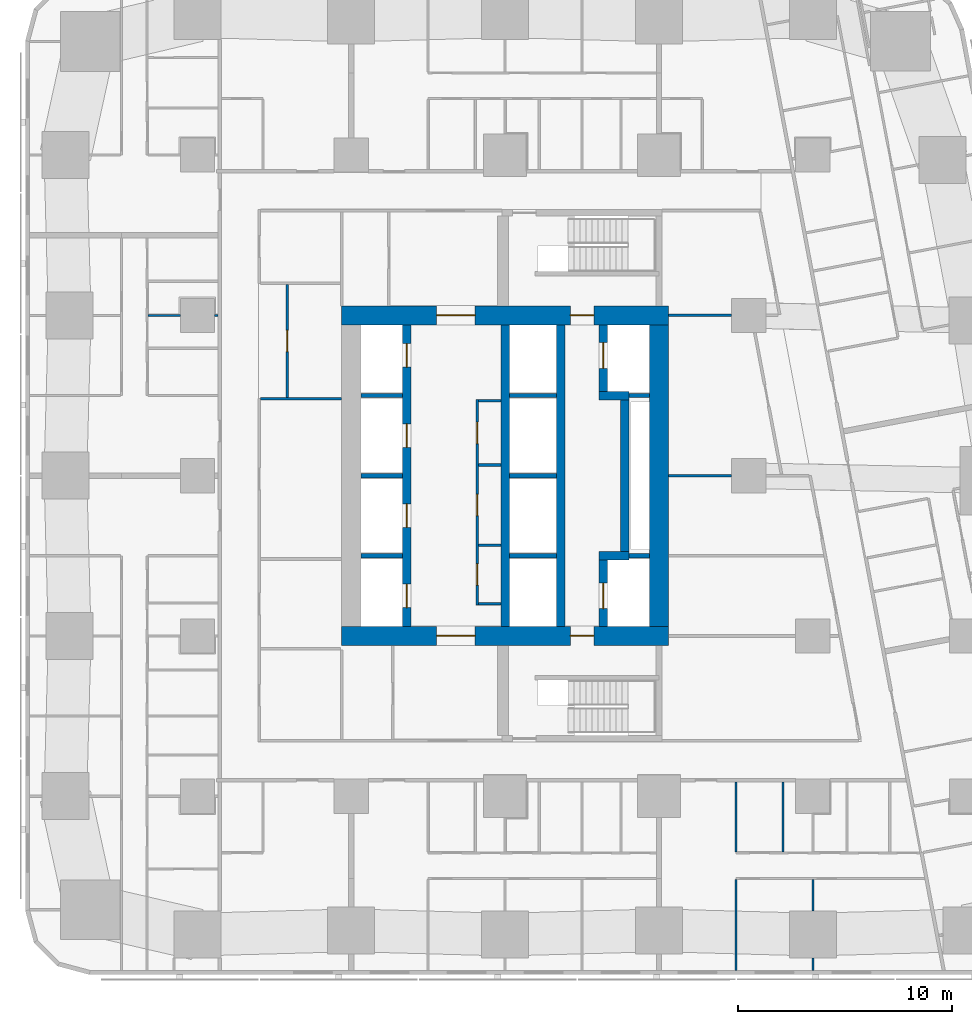
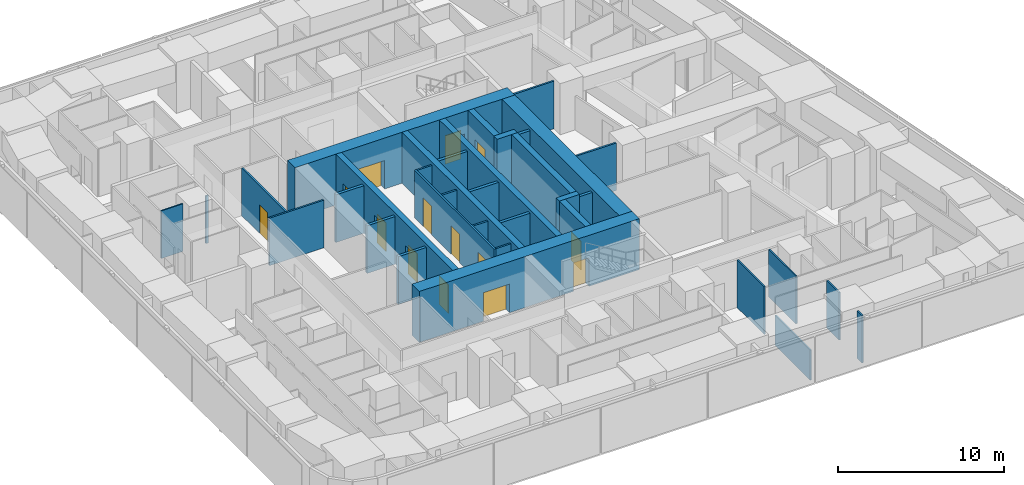
# One storey, part 5 of 15: 35 walls, 14 doors, 14 openings.
"""IFC4 building model written with IfcOpenShell, lengths in metres."""

from ifc_helpers import new_model, si_unit, direction, frame, frame_2d, origin, place, context, subcontext, project, spatial, rectangle, extrude, material, layer, layer_set, type_object, element, fill, save


model = new_model("IFC4")

# Units and contexts
model_context = context("Model", 3, precision=1e-05, world=origin(), true_north=direction((0.0, 1.0)))
body_context = subcontext(model_context, "Body", "Model", "MODEL_VIEW")
ifc_project = project(units=[si_unit("LENGTHUNIT", "METRE"), si_unit("AREAUNIT", "SQUARE_METRE"), si_unit("VOLUMEUNIT", "CUBIC_METRE"), si_unit("PLANEANGLEUNIT", "RADIAN"), si_unit("MASSUNIT", "GRAM", prefix="KILO")], contexts=[model_context])

# Site, building, storey
site_placement = place(None, origin())
site = spatial("IfcSite", under=ifc_project, at=site_placement, CompositionType="ELEMENT")
building_placement = place(site_placement, origin())
building = spatial("IfcBuilding", under=site, at=building_placement, Name="Sheger Commons Tower", CompositionType="ELEMENT")
storey_placement = place(building_placement, frame((0.0, 0.0, 77.89990234375)))
storey = spatial("IfcBuildingStorey", under=building, at=storey_placement, Name="L19", CompositionType="ELEMENT", Elevation=77.89990234375)

# Wall, openings, doors
ifc_material_1 = material(Name="Concrete C50/60", Category="concrete")
ifc_layer_1 = layer(ifc_material_1, 0.39990234375)
ifc_layer_set_1 = layer_set([ifc_layer_1], Name="CORE INNER WALL 400")
wall_type_1 = type_object("IfcWallType", Name="CORE INNER WALL 400", PredefinedType="SHEAR", material=ifc_layer_set_1)
wall_1_placement = place(storey_placement, frame((17.0, 15.449951171875, 0.0), z_axis=(0.0, 0.0, 1.0), x_axis=(0.0, 1.0, 0.0)))
wall_1 = element("IfcWall", 1, at=wall_1_placement, inside=storey, type_object=wall_type_1, Name="Core inner wall A L19", PredefinedType="SHEAR", context=body_context, shape_type="SweptSolid", body=[
    extrude(rectangle(XDim=14.10009765625, YDim=0.39990234375, at=frame_2d((7.050048828125, 0.0))), origin(), (0.0, 0.0, 1.0), 3.75),
])
opening_1_placement = place(wall_1_placement, frame((0.875, 0.0, 0.0)))
opening_1 = element("IfcOpeningElement", 2, at=opening_1_placement, cuts=wall_1, Name="Opening LD", PredefinedType="OPENING", context=body_context, shape_type="SweptSolid", body=[
    extrude(rectangle(XDim=1.10009765625, YDim=2.10009765625, at=frame_2d((0.550048828125, 1.050048828125))), frame((0.0, 0.2099609375, 0.0), z_axis=(0.0, -1.0, 0.0), x_axis=(1.0, 0.0, 0.0)), (0.0, 0.0, 1.0), 0.419921875),
])
opening_2_placement = place(wall_1_placement, frame((4.625, 0.0, 0.0)))
opening_2 = element("IfcOpeningElement", 3, at=opening_2_placement, cuts=wall_1, Name="Opening LD", PredefinedType="OPENING", context=body_context, shape_type="SweptSolid", body=[
    extrude(rectangle(XDim=1.10009765625, YDim=2.10009765625, at=frame_2d((0.550048828125, 1.050048828125))), frame((0.0, 0.2099609375, 0.0), z_axis=(0.0, -1.0, 0.0), x_axis=(1.0, 0.0, 0.0)), (0.0, 0.0, 1.0), 0.419921875),
])
opening_3_placement = place(wall_1_placement, frame((8.375, 0.0, 0.0)))
opening_3 = element("IfcOpeningElement", 4, at=opening_3_placement, cuts=wall_1, Name="Opening LD", PredefinedType="OPENING", context=body_context, shape_type="SweptSolid", body=[
    extrude(rectangle(XDim=1.10009765625, YDim=2.10009765625, at=frame_2d((0.550048828125, 1.050048828125))), frame((0.0, 0.2099609375, 0.0), z_axis=(0.0, -1.0, 0.0), x_axis=(1.0, 0.0, 0.0)), (0.0, 0.0, 1.0), 0.419921875),
])
opening_4_placement = place(wall_1_placement, frame((12.125, 0.0, 0.0)))
opening_4 = element("IfcOpeningElement", 5, at=opening_4_placement, cuts=wall_1, Name="Opening LD", PredefinedType="OPENING", context=body_context, shape_type="SweptSolid", body=[
    extrude(rectangle(XDim=1.10009765625, YDim=2.10009765625, at=frame_2d((0.550048828125, 1.050048828125))), frame((0.0, 0.2099609375, 0.0), z_axis=(0.0, -1.0, 0.0), x_axis=(1.0, 0.0, 0.0)), (0.0, 0.0, 1.0), 0.419921875),
])
ifc_material_2 = material(Name="Steel door set, fire rated", Category="steel")
door_type_1 = type_object("IfcDoorType", Name="LIFT LANDING DOOR 1100x2100", OperationType="DOUBLE_DOOR_SLIDING", PredefinedType="DOOR", material=ifc_material_2)
door_1_placement = place(opening_1_placement, origin())
door_1 = element("IfcDoor", 6, at=door_1_placement, inside=storey, type_object=door_type_1, Name="Lift LA1 landing door", OperationType="DOUBLE_DOOR_SLIDING", OverallHeight=2.10009765625, OverallWidth=1.10009765625, PredefinedType="DOOR", context=body_context, shape_type="SweptSolid", body=[
    extrude(rectangle(XDim=1.10009765625, YDim=2.10009765625, at=frame_2d((0.550048828125, 1.050048828125))), frame((0.0, 0.02490234375, 0.0), z_axis=(0.0, -1.0, 0.0), x_axis=(1.0, 0.0, 0.0)), (0.0, 0.0, 1.0), 0.050048828125),
])
fill(opening_1, door_1)
door_2_placement = place(opening_2_placement, origin())
door_2 = element("IfcDoor", 7, at=door_2_placement, inside=storey, type_object=door_type_1, Name="Lift LA2 landing door", OperationType="DOUBLE_DOOR_SLIDING", OverallHeight=2.10009765625, OverallWidth=1.10009765625, PredefinedType="DOOR", context=body_context, shape_type="SweptSolid", body=[
    extrude(rectangle(XDim=1.10009765625, YDim=2.10009765625, at=frame_2d((0.550048828125, 1.050048828125))), frame((0.0, 0.02490234375, 0.0), z_axis=(0.0, -1.0, 0.0), x_axis=(1.0, 0.0, 0.0)), (0.0, 0.0, 1.0), 0.050048828125),
])
fill(opening_2, door_2)
door_3_placement = place(opening_3_placement, origin())
door_3 = element("IfcDoor", 8, at=door_3_placement, inside=storey, type_object=door_type_1, Name="Lift LA3 landing door", OperationType="DOUBLE_DOOR_SLIDING", OverallHeight=2.10009765625, OverallWidth=1.10009765625, PredefinedType="DOOR", context=body_context, shape_type="SweptSolid", body=[
    extrude(rectangle(XDim=1.10009765625, YDim=2.10009765625, at=frame_2d((0.550048828125, 1.050048828125))), frame((0.0, 0.02490234375, 0.0), z_axis=(0.0, -1.0, 0.0), x_axis=(1.0, 0.0, 0.0)), (0.0, 0.0, 1.0), 0.050048828125),
])
fill(opening_3, door_3)
door_4_placement = place(opening_4_placement, origin())
door_4 = element("IfcDoor", 9, at=door_4_placement, inside=storey, type_object=door_type_1, Name="Lift LA4 landing door", OperationType="DOUBLE_DOOR_SLIDING", OverallHeight=2.10009765625, OverallWidth=1.10009765625, PredefinedType="DOOR", context=body_context, shape_type="SweptSolid", body=[
    extrude(rectangle(XDim=1.10009765625, YDim=2.10009765625, at=frame_2d((0.550048828125, 1.050048828125))), frame((0.0, 0.02490234375, 0.0), z_axis=(0.0, -1.0, 0.0), x_axis=(1.0, 0.0, 0.0)), (0.0, 0.0, 1.0), 0.050048828125),
])
fill(opening_4, door_4)

# Walls
for number, where, z_axis, x_axis, name in (
    (10, (21.60009765625, 15.449951171875, 0.0), (0.0, 0.0, 1.0), (0.0, 1.0, 0.0), "Core inner wall L L19"),
    (11, (24.199951171875, 15.449951171875, 0.0), (0.0, 0.0, 1.0), (0.0, 1.0, 0.0), "Core inner wall B L19"),
):
    element("IfcWall", number, at=place(storey_placement, frame(where, z_axis=z_axis, x_axis=x_axis)), inside=storey, type_object=wall_type_1, Name=name, PredefinedType="SHEAR", context=body_context, shape_type="SweptSolid", body=[
        extrude(rectangle(XDim=14.10009765625, YDim=0.39990234375, at=frame_2d((7.050048828125, 0.0))), origin(), (0.0, 0.0, 1.0), 3.75),
    ])

# Wall, opening, door
wall_2_placement = place(storey_placement, frame((26.199951171875, 15.449951171875, 0.0), z_axis=(0.0, 0.0, 1.0), x_axis=(0.0, 1.0, 0.0)))
wall_2 = element("IfcWall", 12, at=wall_2_placement, inside=storey, type_object=wall_type_1, Name="Core inner wall F L19", PredefinedType="SHEAR", context=body_context, shape_type="SweptSolid", body=[
    extrude(rectangle(XDim=3.10009765625, YDim=0.39990234375, at=frame_2d((1.550048828125, 0.0))), origin(), (0.0, 0.0, 1.0), 3.75),
])
opening_5_placement = place(wall_2_placement, frame((0.824951171875, 0.0, 0.0)))
opening_5 = element("IfcOpeningElement", 13, at=opening_5_placement, cuts=wall_2, Name="Opening LD2", PredefinedType="OPENING", context=body_context, shape_type="SweptSolid", body=[
    extrude(rectangle(XDim=1.199951171875, YDim=2.10009765625, at=frame_2d((0.60009765625, 1.050048828125))), frame((0.0, 0.2099609375, 0.0), z_axis=(0.0, -1.0, 0.0), x_axis=(1.0, 0.0, 0.0)), (0.0, 0.0, 1.0), 0.419921875),
])
ifc_material_3 = material(Name="Steel door set, fire rated", Category="steel")
door_type_2 = type_object("IfcDoorType", Name="FIREFIGHTING LIFT LANDING DOOR 1200x2100", OperationType="DOUBLE_DOOR_SLIDING", PredefinedType="DOOR", material=ifc_material_3)
door_5_placement = place(opening_5_placement, origin())
door_5 = element("IfcDoor", 14, at=door_5_placement, inside=storey, type_object=door_type_2, Name="Lift FL1 landing door", OperationType="DOUBLE_DOOR_SLIDING", OverallHeight=2.10009765625, OverallWidth=1.199951171875, PredefinedType="DOOR", context=body_context, shape_type="SweptSolid", body=[
    extrude(rectangle(XDim=1.199951171875, YDim=2.10009765625, at=frame_2d((0.60009765625, 1.050048828125))), frame((0.0, 0.02490234375, 0.0), z_axis=(0.0, -1.0, 0.0), x_axis=(1.0, 0.0, 0.0)), (0.0, 0.0, 1.0), 0.050048828125),
])
fill(opening_5, door_5)

# Walls
wall_3_placement = place(storey_placement, frame((26.0, 18.75, 0.0), z_axis=(0.0, 0.0, 1.0), x_axis=(1.0, 0.0, 0.0)))
element("IfcWall", 15, at=wall_3_placement, inside=storey, type_object=wall_type_1, Name="Core inner wall F south return L19", PredefinedType="SHEAR", context=body_context, shape_type="SweptSolid", body=[
    extrude(rectangle(XDim=1.39990234375, YDim=0.39990234375, at=frame_2d((0.699951171875, 0.0))), origin(), (0.0, 0.0, 1.0), 3.75),
])
wall_4_placement = place(storey_placement, frame((27.199951171875, 18.949951171875, 0.0), z_axis=(0.0, 0.0, 1.0), x_axis=(0.0, 1.0, 0.0)))
element("IfcWall", 16, at=wall_4_placement, inside=storey, type_object=wall_type_1, Name="Core inner wall F middle L19", PredefinedType="SHEAR", context=body_context, shape_type="SweptSolid", body=[
    extrude(rectangle(XDim=7.10009765625, YDim=0.39990234375, at=frame_2d((3.550048828125, 0.0))), origin(), (0.0, 0.0, 1.0), 3.75),
])
wall_5_placement = place(storey_placement, frame((26.0, 26.25, 0.0), z_axis=(0.0, 0.0, 1.0), x_axis=(1.0, 0.0, 0.0)))
element("IfcWall", 17, at=wall_5_placement, inside=storey, type_object=wall_type_1, Name="Core inner wall F north return L19", PredefinedType="SHEAR", context=body_context, shape_type="SweptSolid", body=[
    extrude(rectangle(XDim=1.39990234375, YDim=0.39990234375, at=frame_2d((0.699951171875, 0.0))), origin(), (0.0, 0.0, 1.0), 3.75),
])

# Wall, opening, door
wall_6_placement = place(storey_placement, frame((26.199951171875, 26.449951171875, 0.0), z_axis=(0.0, 0.0, 1.0), x_axis=(0.0, 1.0, 0.0)))
wall_6 = element("IfcWall", 18, at=wall_6_placement, inside=storey, type_object=wall_type_1, Name="Core inner wall F north L19", PredefinedType="SHEAR", context=body_context, shape_type="SweptSolid", body=[
    extrude(rectangle(XDim=3.10009765625, YDim=0.39990234375, at=frame_2d((1.550048828125, 0.0))), origin(), (0.0, 0.0, 1.0), 3.75),
])
opening_6_placement = place(wall_6_placement, frame((1.074951171875, 0.0, 0.0)))
opening_6 = element("IfcOpeningElement", 19, at=opening_6_placement, cuts=wall_6, Name="Opening LD2", PredefinedType="OPENING", context=body_context, shape_type="SweptSolid", body=[
    extrude(rectangle(XDim=1.199951171875, YDim=2.10009765625, at=frame_2d((0.60009765625, 1.050048828125))), frame((0.0, 0.2099609375, 0.0), z_axis=(0.0, -1.0, 0.0), x_axis=(1.0, 0.0, 0.0)), (0.0, 0.0, 1.0), 0.419921875),
])
door_6_placement = place(opening_6_placement, origin())
door_6 = element("IfcDoor", 20, at=door_6_placement, inside=storey, type_object=door_type_2, Name="Lift FL2 landing door", OperationType="DOUBLE_DOOR_SLIDING", OverallHeight=2.10009765625, OverallWidth=1.199951171875, PredefinedType="DOOR", context=body_context, shape_type="SweptSolid", body=[
    extrude(rectangle(XDim=1.199951171875, YDim=2.10009765625, at=frame_2d((0.60009765625, 1.050048828125))), frame((0.0, 0.02490234375, 0.0), z_axis=(0.0, -1.0, 0.0), x_axis=(1.0, 0.0, 0.0)), (0.0, 0.0, 1.0), 0.050048828125),
])
fill(opening_6, door_6)

# Wall, openings, doors
ifc_material_4 = material(Name="Concrete C50/60", Category="concrete")
ifc_layer_2 = layer(ifc_material_4, 0.89990234375)
ifc_layer_set_2 = layer_set([ifc_layer_2], Name="CORE WALL 900")
wall_type_2 = type_object("IfcWallType", Name="CORE WALL 900", PredefinedType="SHEAR", material=ifc_layer_set_2)
wall_7_placement = place(storey_placement, frame((13.949951171875, 15.0, 0.0), z_axis=(0.0, 0.0, 1.0), x_axis=(1.0, 0.0, 0.0)))
wall_7 = element("IfcWall", 21, at=wall_7_placement, inside=storey, type_object=wall_type_2, Name="Core wall south L19", PredefinedType="SHEAR", context=body_context, shape_type="SweptSolid", body=[
    extrude(rectangle(XDim=15.300048828125, YDim=0.89990234375, at=frame_2d((7.64990234375, 0.0))), origin(), (0.0, 0.0, 1.0), 3.75),
])
opening_7_placement = place(wall_7_placement, frame((4.449951171875, 0.0, 0.0)))
opening_7 = element("IfcOpeningElement", 22, at=opening_7_placement, cuts=wall_7, Name="Opening D6", PredefinedType="OPENING", context=body_context, shape_type="SweptSolid", body=[
    extrude(rectangle(XDim=1.800048828125, YDim=2.10009765625, at=frame_2d((0.89990234375, 1.050048828125))), frame((0.0, 0.4599609375, 0.0), z_axis=(0.0, -1.0, 0.0), x_axis=(1.0, 0.0, 0.0)), (0.0, 0.0, 1.0), 0.919921875),
])
opening_8_placement = place(wall_7_placement, frame((10.699951171875, 0.0, 0.0)))
opening_8 = element("IfcOpeningElement", 23, at=opening_8_placement, cuts=wall_7, Name="Opening D5", PredefinedType="OPENING", context=body_context, shape_type="SweptSolid", body=[
    extrude(rectangle(XDim=1.10009765625, YDim=2.10009765625, at=frame_2d((0.550048828125, 1.050048828125))), frame((0.0, 0.4599609375, 0.0), z_axis=(0.0, -1.0, 0.0), x_axis=(1.0, 0.0, 0.0)), (0.0, 0.0, 1.0), 0.919921875),
])
ifc_material_5 = material(Name="Steel door set, fire rated", Category="steel")
door_type_3 = type_object("IfcDoorType", Name="LOBBY DOUBLE DOOR 1800x2100", OperationType="DOUBLE_DOOR_SINGLE_SWING", PredefinedType="DOOR", material=ifc_material_5)
door_7_placement = place(opening_7_placement, origin())
door_7 = element("IfcDoor", 24, at=door_7_placement, inside=storey, type_object=door_type_3, Name="Lift lobby door", OperationType="DOUBLE_DOOR_SINGLE_SWING", OverallHeight=2.10009765625, OverallWidth=1.800048828125, PredefinedType="DOOR", context=body_context, shape_type="SweptSolid", body=[
    extrude(rectangle(XDim=1.800048828125, YDim=2.10009765625, at=frame_2d((0.89990234375, 1.050048828125))), frame((0.0, 0.02490234375, 0.0), z_axis=(0.0, -1.0, 0.0), x_axis=(1.0, 0.0, 0.0)), (0.0, 0.0, 1.0), 0.050048828125),
])
fill(opening_7, door_7)
ifc_material_6 = material(Name="Steel door set, fire rated", Category="steel")
door_type_4 = type_object("IfcDoorType", Name="STAIR DOOR 1100x2100", OperationType="NOTDEFINED", PredefinedType="DOOR", material=ifc_material_6)
door_8_placement = place(opening_8_placement, origin())
door_8 = element("IfcDoor", 25, at=door_8_placement, inside=storey, type_object=door_type_4, Name="Fire-fighting lobby door", OperationType="SINGLE_SWING_RIGHT", OverallHeight=2.10009765625, OverallWidth=1.10009765625, PredefinedType="DOOR", context=body_context, shape_type="SweptSolid", body=[
    extrude(rectangle(XDim=1.10009765625, YDim=2.10009765625, at=frame_2d((0.550048828125, 1.050048828125))), frame((0.0, 0.02490234375, 0.0), z_axis=(0.0, -1.0, 0.0), x_axis=(1.0, 0.0, 0.0)), (0.0, 0.0, 1.0), 0.050048828125),
])
fill(opening_8, door_8)

wall_8_placement = place(storey_placement, frame((13.949951171875, 30.0, 0.0), z_axis=(0.0, 0.0, 1.0), x_axis=(1.0, 0.0, 0.0)))
wall_8 = element("IfcWall", 26, at=wall_8_placement, inside=storey, type_object=wall_type_2, Name="Core wall north L19", PredefinedType="SHEAR", context=body_context, shape_type="SweptSolid", body=[
    extrude(rectangle(XDim=15.300048828125, YDim=0.89990234375, at=frame_2d((7.64990234375, 0.0))), origin(), (0.0, 0.0, 1.0), 3.75),
])
opening_9_placement = place(wall_8_placement, frame((4.449951171875, 0.0, 0.0)))
opening_9 = element("IfcOpeningElement", 27, at=opening_9_placement, cuts=wall_8, Name="Opening D6", PredefinedType="OPENING", context=body_context, shape_type="SweptSolid", body=[
    extrude(rectangle(XDim=1.800048828125, YDim=2.10009765625, at=frame_2d((0.89990234375, 1.050048828125))), frame((0.0, 0.4599609375, 0.0), z_axis=(0.0, -1.0, 0.0), x_axis=(1.0, 0.0, 0.0)), (0.0, 0.0, 1.0), 0.919921875),
])
opening_10_placement = place(wall_8_placement, frame((10.699951171875, 0.0, 0.0)))
opening_10 = element("IfcOpeningElement", 28, at=opening_10_placement, cuts=wall_8, Name="Opening D5", PredefinedType="OPENING", context=body_context, shape_type="SweptSolid", body=[
    extrude(rectangle(XDim=1.10009765625, YDim=2.10009765625, at=frame_2d((0.550048828125, 1.050048828125))), frame((0.0, 0.4599609375, 0.0), z_axis=(0.0, -1.0, 0.0), x_axis=(1.0, 0.0, 0.0)), (0.0, 0.0, 1.0), 0.919921875),
])
door_9_placement = place(opening_9_placement, origin())
door_9 = element("IfcDoor", 29, at=door_9_placement, inside=storey, type_object=door_type_3, Name="Lift lobby door", OperationType="DOUBLE_DOOR_SINGLE_SWING", OverallHeight=2.10009765625, OverallWidth=1.800048828125, PredefinedType="DOOR", context=body_context, shape_type="SweptSolid", body=[
    extrude(rectangle(XDim=1.800048828125, YDim=2.10009765625, at=frame_2d((0.89990234375, 1.050048828125))), frame((0.0, 0.02490234375, 0.0), z_axis=(0.0, -1.0, 0.0), x_axis=(1.0, 0.0, 0.0)), (0.0, 0.0, 1.0), 0.050048828125),
])
fill(opening_9, door_9)
door_10_placement = place(opening_10_placement, origin())
door_10 = element("IfcDoor", 30, at=door_10_placement, inside=storey, type_object=door_type_4, Name="Fire-fighting lobby door", OperationType="SINGLE_SWING_RIGHT", OverallHeight=2.10009765625, OverallWidth=1.10009765625, PredefinedType="DOOR", context=body_context, shape_type="SweptSolid", body=[
    extrude(rectangle(XDim=1.10009765625, YDim=2.10009765625, at=frame_2d((0.550048828125, 1.050048828125))), frame((0.0, 0.02490234375, 0.0), z_axis=(0.0, -1.0, 0.0), x_axis=(1.0, 0.0, 0.0)), (0.0, 0.0, 1.0), 0.050048828125),
])
fill(opening_10, door_10)

# Walls
wall_9_placement = place(storey_placement, frame((28.800048828125, 15.449951171875, 0.0), z_axis=(0.0, 0.0, 1.0), x_axis=(0.0, 1.0, 0.0)))
element("IfcWall", 31, at=wall_9_placement, inside=storey, type_object=wall_type_2, Name="Core wall east L19", PredefinedType="SHEAR", context=body_context, shape_type="SweptSolid", body=[
    extrude(rectangle(XDim=14.10009765625, YDim=0.89990234375, at=frame_2d((7.050048828125, 0.0))), origin(), (0.0, 0.0, 1.0), 3.75),
])
ifc_material_7 = material(Name="Gypsum board on steel studs", Category="steel")
ifc_layer_3 = layer(ifc_material_7, 0.10009765625)
ifc_layer_set_3 = layer_set([ifc_layer_3], Name="PARTITION 100")
wall_type_3 = type_object("IfcWallType", Name="PARTITION 100", PredefinedType="PARTITIONING", material=ifc_layer_set_3)
wall_10_placement = place(storey_placement, frame((4.89990234375, 30.0, 0.0), z_axis=(0.0, 0.0, 1.0), x_axis=(1.0, 0.0, 0.0)))
element("IfcWall", 32, at=wall_10_placement, inside=storey, type_object=wall_type_3, Name="Partition L19", PredefinedType="PARTITIONING", context=body_context, shape_type="SweptSolid", body=[
    extrude(rectangle(XDim=1.4990234375, YDim=0.10009765625, at=frame_2d((0.74951171875, 0.0))), origin(), (0.0, 0.0, 1.0), 3.5),
])
wall_11_placement = place(storey_placement, frame((8.0009765625, 30.0, 0.0), z_axis=(0.0, 0.0, 1.0), x_axis=(1.0, 0.0, 0.0)))
element("IfcWall", 33, at=wall_11_placement, inside=storey, type_object=wall_type_3, Name="Partition L19", PredefinedType="PARTITIONING", context=body_context, shape_type="SweptSolid", body=[
    extrude(rectangle(XDim=0.174072265625, YDim=0.10009765625, at=frame_2d((0.0869140625, 0.0))), origin(), (0.0, 0.0, 1.0), 3.5),
])
wall_12_placement = place(storey_placement, frame((32.39990234375, -0.64990234375, 0.0), z_axis=(0.0, 0.0, 1.0), x_axis=(0.0, 1.0, 0.0)))
element("IfcWall", 34, at=wall_12_placement, inside=storey, type_object=wall_type_3, Name="Partition L19", PredefinedType="PARTITIONING", context=body_context, shape_type="SweptSolid", body=[
    extrude(rectangle(XDim=4.25, YDim=0.10009765625, at=frame_2d((2.125, 0.0))), origin(), (0.0, 0.0, 1.0), 2.2001953125),
])
wall_13_placement = place(storey_placement, frame((36.0, -0.64990234375, 0.0), z_axis=(0.0, 0.0, 1.0), x_axis=(0.0, 1.0, 0.0)))
element("IfcWall", 35, at=wall_13_placement, inside=storey, type_object=wall_type_3, Name="Partition L19", PredefinedType="PARTITIONING", context=body_context, shape_type="SweptSolid", body=[
    extrude(rectangle(XDim=0.573974609375, YDim=0.10009765625, at=frame_2d((0.287109375, 0.0))), origin(), (0.0, 0.0, 1.0), 3.5),
])
wall_14_placement = place(storey_placement, frame((36.0, 2.1259765625, 0.0), z_axis=(0.0, 0.0, 1.0), x_axis=(0.0, 1.0, 0.0)))
element("IfcWall", 36, at=wall_14_placement, inside=storey, type_object=wall_type_3, Name="Partition L19", PredefinedType="PARTITIONING", context=body_context, shape_type="SweptSolid", body=[
    extrude(rectangle(XDim=1.47412109375, YDim=0.10009765625, at=frame_2d((0.737060546875, 0.0))), origin(), (0.0, 0.0, 1.0), 3.5),
])
for number, where, z_axis, x_axis, name in (
    (37, (32.39990234375, 4.89990234375, 0.0), (0.0, 0.0, 1.0), (0.0, 1.0, 0.0), "Partition L19"),
    (38, (34.610107421875, 4.89990234375, 0.0), (0.0, 0.0, 1.0), (0.0, 1.0, 0.0), "Partition L19"),
):
    element("IfcWall", number, at=place(storey_placement, frame(where, z_axis=z_axis, x_axis=x_axis)), inside=storey, type_object=wall_type_3, Name=name, PredefinedType="PARTITIONING", context=body_context, shape_type="SweptSolid", body=[
        extrude(rectangle(XDim=3.275146484375, YDim=0.10009765625, at=frame_2d((1.6376953125, 0.0))), origin(), (0.0, 0.0, 1.0), 3.5),
    ])

# Wall, opening, door
ifc_material_8 = material(Name="Gypsum board on steel studs, two layers each side, fire rated", Category="steel")
ifc_layer_4 = layer(ifc_material_8, 0.125)
ifc_layer_set_4 = layer_set([ifc_layer_4], Name="SERVICE WALL 125")
wall_type_4 = type_object("IfcWallType", Name="SERVICE WALL 125", PredefinedType="PARTITIONING", material=ifc_layer_set_4)
wall_15_placement = place(storey_placement, frame((11.39990234375, 26.1630859375, 0.0), z_axis=(0.0, 0.0, 1.0), x_axis=(0.0, 1.0, 0.0)))
wall_15 = element("IfcWall", 39, at=wall_15_placement, inside=storey, type_object=wall_type_4, Name="Service room wall L19", PredefinedType="PARTITIONING", context=body_context, shape_type="SweptSolid", body=[
    extrude(rectangle(XDim=5.27490234375, YDim=0.125, at=frame_2d((2.637451171875, 0.0))), origin(), (0.0, 0.0, 1.0), 3.5),
])
opening_11_placement = place(wall_15_placement, frame((2.136962890625, 0.0, 0.0)))
opening_11 = element("IfcOpeningElement", 40, at=opening_11_placement, cuts=wall_15, Name="Opening D4", PredefinedType="OPENING", context=body_context, shape_type="SweptSolid", body=[
    extrude(rectangle(XDim=1.0, YDim=2.10009765625, at=frame_2d((0.5, 1.050048828125))), frame((0.0, 0.072509765625, 0.0), z_axis=(0.0, -1.0, 0.0), x_axis=(1.0, 0.0, 0.0)), (0.0, 0.0, 1.0), 0.14501953125),
])
ifc_material_9 = material(Name="Steel door set, fire rated", Category="steel")
door_type_5 = type_object("IfcDoorType", Name="SERVICE DOOR 1000x2100", OperationType="NOTDEFINED", PredefinedType="DOOR", material=ifc_material_9)
door_11_placement = place(opening_11_placement, origin())
door_11 = element("IfcDoor", 41, at=door_11_placement, inside=storey, type_object=door_type_5, Name="Laundry and drying room door", OperationType="SINGLE_SWING_LEFT", OverallHeight=2.10009765625, OverallWidth=1.0, PredefinedType="DOOR", context=body_context, shape_type="SweptSolid", body=[
    extrude(rectangle(XDim=1.0, YDim=2.10009765625, at=frame_2d((0.5, 1.050048828125))), frame((0.0, 0.02490234375, 0.0), z_axis=(0.0, -1.0, 0.0), x_axis=(1.0, 0.0, 0.0)), (0.0, 0.0, 1.0), 0.050048828125),
])
fill(opening_11, door_11)

# Walls
wall_16_placement = place(storey_placement, frame((10.1630859375, 26.10009765625, 0.0), z_axis=(0.0, 0.0, 1.0), x_axis=(1.0, 0.0, 0.0)))
element("IfcWall", 42, at=wall_16_placement, inside=storey, type_object=wall_type_4, Name="Service room wall L19", PredefinedType="PARTITIONING", context=body_context, shape_type="SweptSolid", body=[
    extrude(rectangle(XDim=3.786865234375, YDim=0.125, at=frame_2d((1.8935546875, 0.0))), origin(), (0.0, 0.0, 1.0), 3.5),
])
for number, where, z_axis, x_axis, name in (
    (43, (29.25, 22.5, 0.0), (0.0, 0.0, 1.0), (1.0, 0.0, 0.0), "Service room wall L19"),
    (44, (29.25, 30.0, 0.0), (0.0, 0.0, 1.0), (1.0, 0.0, 0.0), "Service room wall L19"),
):
    element("IfcWall", number, at=place(storey_placement, frame(where, z_axis=z_axis, x_axis=x_axis)), inside=storey, type_object=wall_type_4, Name=name, PredefinedType="PARTITIONING", context=body_context, shape_type="SweptSolid", body=[
        extrude(rectangle(XDim=2.948974609375, YDim=0.125, at=frame_2d((1.474609375, 0.0))), origin(), (0.0, 0.0, 1.0), 3.5),
    ])

# Wall, openings, doors
wall_17_placement = place(storey_placement, frame((20.300048828125, 16.43798828125, 0.0), z_axis=(0.0, 0.0, 1.0), x_axis=(0.0, 1.0, 0.0)))
wall_17 = element("IfcWall", 45, at=wall_17_placement, inside=storey, type_object=wall_type_4, Name="Service room wall L19", PredefinedType="PARTITIONING", context=body_context, shape_type="SweptSolid", body=[
    extrude(rectangle(XDim=9.6240234375, YDim=0.125, at=frame_2d((4.81201171875, 0.0))), origin(), (0.0, 0.0, 1.0), 3.5),
])
opening_12_placement = place(wall_17_placement, frame((0.93701171875, 0.0, 0.0)))
opening_12 = element("IfcOpeningElement", 46, at=opening_12_placement, cuts=wall_17, Name="Opening D4", PredefinedType="OPENING", context=body_context, shape_type="SweptSolid", body=[
    extrude(rectangle(XDim=1.0, YDim=2.10009765625, at=frame_2d((0.5, 1.050048828125))), frame((0.0, 0.072509765625, 0.0), z_axis=(0.0, -1.0, 0.0), x_axis=(1.0, 0.0, 0.0)), (0.0, 0.0, 1.0), 0.14501953125),
])
opening_13_placement = place(wall_17_placement, frame((4.18701171875, 0.0, 0.0)))
opening_13 = element("IfcOpeningElement", 47, at=opening_13_placement, cuts=wall_17, Name="Opening D4", PredefinedType="OPENING", context=body_context, shape_type="SweptSolid", body=[
    extrude(rectangle(XDim=1.0, YDim=2.10009765625, at=frame_2d((0.5, 1.050048828125))), frame((0.0, 0.072509765625, 0.0), z_axis=(0.0, -1.0, 0.0), x_axis=(1.0, 0.0, 0.0)), (0.0, 0.0, 1.0), 0.14501953125),
])
opening_14_placement = place(wall_17_placement, frame((7.56201171875, 0.0, 0.0)))
opening_14 = element("IfcOpeningElement", 48, at=opening_14_placement, cuts=wall_17, Name="Opening D4", PredefinedType="OPENING", context=body_context, shape_type="SweptSolid", body=[
    extrude(rectangle(XDim=1.0, YDim=2.10009765625, at=frame_2d((0.5, 1.050048828125))), frame((0.0, 0.072509765625, 0.0), z_axis=(0.0, -1.0, 0.0), x_axis=(1.0, 0.0, 0.0)), (0.0, 0.0, 1.0), 0.14501953125),
])
door_12_placement = place(opening_12_placement, origin())
door_12 = element("IfcDoor", 49, at=door_12_placement, inside=storey, type_object=door_type_5, Name="Communications cupboard door", OperationType="SINGLE_SWING_RIGHT", OverallHeight=2.10009765625, OverallWidth=1.0, PredefinedType="DOOR", context=body_context, shape_type="SweptSolid", body=[
    extrude(rectangle(XDim=1.0, YDim=2.10009765625, at=frame_2d((0.5, 1.050048828125))), frame((0.0, 0.02490234375, 0.0), z_axis=(0.0, -1.0, 0.0), x_axis=(1.0, 0.0, 0.0)), (0.0, 0.0, 1.0), 0.050048828125),
])
fill(opening_12, door_12)
door_13_placement = place(opening_13_placement, origin())
door_13 = element("IfcDoor", 50, at=door_13_placement, inside=storey, type_object=door_type_5, Name="Electrical cupboard door", OperationType="SINGLE_SWING_LEFT", OverallHeight=2.10009765625, OverallWidth=1.0, PredefinedType="DOOR", context=body_context, shape_type="SweptSolid", body=[
    extrude(rectangle(XDim=1.0, YDim=2.10009765625, at=frame_2d((0.5, 1.050048828125))), frame((0.0, 0.02490234375, 0.0), z_axis=(0.0, -1.0, 0.0), x_axis=(1.0, 0.0, 0.0)), (0.0, 0.0, 1.0), 0.050048828125),
])
fill(opening_13, door_13)
door_14_placement = place(opening_14_placement, origin())
door_14 = element("IfcDoor", 51, at=door_14_placement, inside=storey, type_object=door_type_5, Name="Cleaner's cupboard door", OperationType="SINGLE_SWING_LEFT", OverallHeight=2.10009765625, OverallWidth=1.0, PredefinedType="DOOR", context=body_context, shape_type="SweptSolid", body=[
    extrude(rectangle(XDim=1.0, YDim=2.10009765625, at=frame_2d((0.5, 1.050048828125))), frame((0.0, 0.02490234375, 0.0), z_axis=(0.0, -1.0, 0.0), x_axis=(1.0, 0.0, 0.0)), (0.0, 0.0, 1.0), 0.050048828125),
])
fill(opening_14, door_14)

# Walls
for number, where, z_axis, x_axis, name in (
    (52, (20.363037109375, 16.5, 0.0), (0.0, 0.0, 1.0), (1.0, 0.0, 0.0), "Service room wall L19"),
    (53, (20.363037109375, 26.0, 0.0), (0.0, 0.0, 1.0), (1.0, 0.0, 0.0), "Service room wall L19"),
    (54, (20.363037109375, 19.25, 0.0), (0.0, 0.0, 1.0), (1.0, 0.0, 0.0), "Service room wall L19"),
    (55, (20.363037109375, 23.0, 0.0), (0.0, 0.0, 1.0), (1.0, 0.0, 0.0), "Service room wall L19"),
):
    element("IfcWall", number, at=place(storey_placement, frame(where, z_axis=z_axis, x_axis=x_axis)), inside=storey, type_object=wall_type_4, Name=name, PredefinedType="PARTITIONING", context=body_context, shape_type="SweptSolid", body=[
        extrude(rectangle(XDim=1.036865234375, YDim=0.125, at=frame_2d((0.5185546875, 0.0))), origin(), (0.0, 0.0, 1.0), 3.5),
    ])
ifc_material_10 = material(Name="Hollow concrete block masonry", Category="masonry")
ifc_layer_5 = layer(ifc_material_10, 0.199951171875)
ifc_layer_set_5 = layer_set([ifc_layer_5], Name="SHAFT WALL 200")
wall_type_5 = type_object("IfcWallType", Name="SHAFT WALL 200", PredefinedType="SOLIDWALL", material=ifc_layer_set_5)
wall_18_placement = place(storey_placement, frame((14.85009765625, 18.75, 0.0), z_axis=(0.0, 0.0, 1.0), x_axis=(1.0, 0.0, 0.0)))
element("IfcWall", 56, at=wall_18_placement, inside=storey, type_object=wall_type_5, Name="Lift shaft wall L19", PredefinedType="SOLIDWALL", context=body_context, shape_type="SweptSolid", body=[
    extrude(rectangle(XDim=1.949951171875, YDim=0.199951171875, at=frame_2d((0.97509765625, 0.0))), origin(), (0.0, 0.0, 1.0), 3.5),
])
wall_19_placement = place(storey_placement, frame((21.800048828125, 18.75, 0.0), z_axis=(0.0, 0.0, 1.0), x_axis=(1.0, 0.0, 0.0)))
element("IfcWall", 57, at=wall_19_placement, inside=storey, type_object=wall_type_5, Name="Lift shaft wall L19", PredefinedType="SOLIDWALL", context=body_context, shape_type="SweptSolid", body=[
    extrude(rectangle(XDim=2.199951171875, YDim=0.199951171875, at=frame_2d((1.10009765625, 0.0))), origin(), (0.0, 0.0, 1.0), 3.5),
])
wall_20_placement = place(storey_placement, frame((14.85009765625, 22.5, 0.0), z_axis=(0.0, 0.0, 1.0), x_axis=(1.0, 0.0, 0.0)))
element("IfcWall", 58, at=wall_20_placement, inside=storey, type_object=wall_type_5, Name="Lift shaft wall L19", PredefinedType="SOLIDWALL", context=body_context, shape_type="SweptSolid", body=[
    extrude(rectangle(XDim=1.949951171875, YDim=0.199951171875, at=frame_2d((0.97509765625, 0.0))), origin(), (0.0, 0.0, 1.0), 3.5),
])
wall_21_placement = place(storey_placement, frame((21.800048828125, 22.5, 0.0), z_axis=(0.0, 0.0, 1.0), x_axis=(1.0, 0.0, 0.0)))
element("IfcWall", 59, at=wall_21_placement, inside=storey, type_object=wall_type_5, Name="Lift shaft wall L19", PredefinedType="SOLIDWALL", context=body_context, shape_type="SweptSolid", body=[
    extrude(rectangle(XDim=2.199951171875, YDim=0.199951171875, at=frame_2d((1.10009765625, 0.0))), origin(), (0.0, 0.0, 1.0), 3.5),
])
wall_22_placement = place(storey_placement, frame((14.85009765625, 26.25, 0.0), z_axis=(0.0, 0.0, 1.0), x_axis=(1.0, 0.0, 0.0)))
element("IfcWall", 60, at=wall_22_placement, inside=storey, type_object=wall_type_5, Name="Lift shaft wall L19", PredefinedType="SOLIDWALL", context=body_context, shape_type="SweptSolid", body=[
    extrude(rectangle(XDim=1.949951171875, YDim=0.199951171875, at=frame_2d((0.97509765625, 0.0))), origin(), (0.0, 0.0, 1.0), 3.5),
])
wall_23_placement = place(storey_placement, frame((21.800048828125, 26.25, 0.0), z_axis=(0.0, 0.0, 1.0), x_axis=(1.0, 0.0, 0.0)))
element("IfcWall", 61, at=wall_23_placement, inside=storey, type_object=wall_type_5, Name="Lift shaft wall L19", PredefinedType="SOLIDWALL", context=body_context, shape_type="SweptSolid", body=[
    extrude(rectangle(XDim=2.199951171875, YDim=0.199951171875, at=frame_2d((1.10009765625, 0.0))), origin(), (0.0, 0.0, 1.0), 3.5),
])
for number, where, z_axis, x_axis, name in (
    (62, (27.39990234375, 18.75, 0.0), (0.0, 0.0, 1.0), (1.0, 0.0, 0.0), "Lift shaft wall L19"),
    (63, (27.39990234375, 26.25, 0.0), (0.0, 0.0, 1.0), (1.0, 0.0, 0.0), "Lift shaft wall L19"),
):
    element("IfcWall", number, at=place(storey_placement, frame(where, z_axis=z_axis, x_axis=x_axis)), inside=storey, type_object=wall_type_5, Name=name, PredefinedType="SOLIDWALL", context=body_context, shape_type="SweptSolid", body=[
        extrude(rectangle(XDim=0.9501953125, YDim=0.199951171875, at=frame_2d((0.47509765625, 0.0))), origin(), (0.0, 0.0, 1.0), 3.5),
    ])

save(model, "model.ifc")
